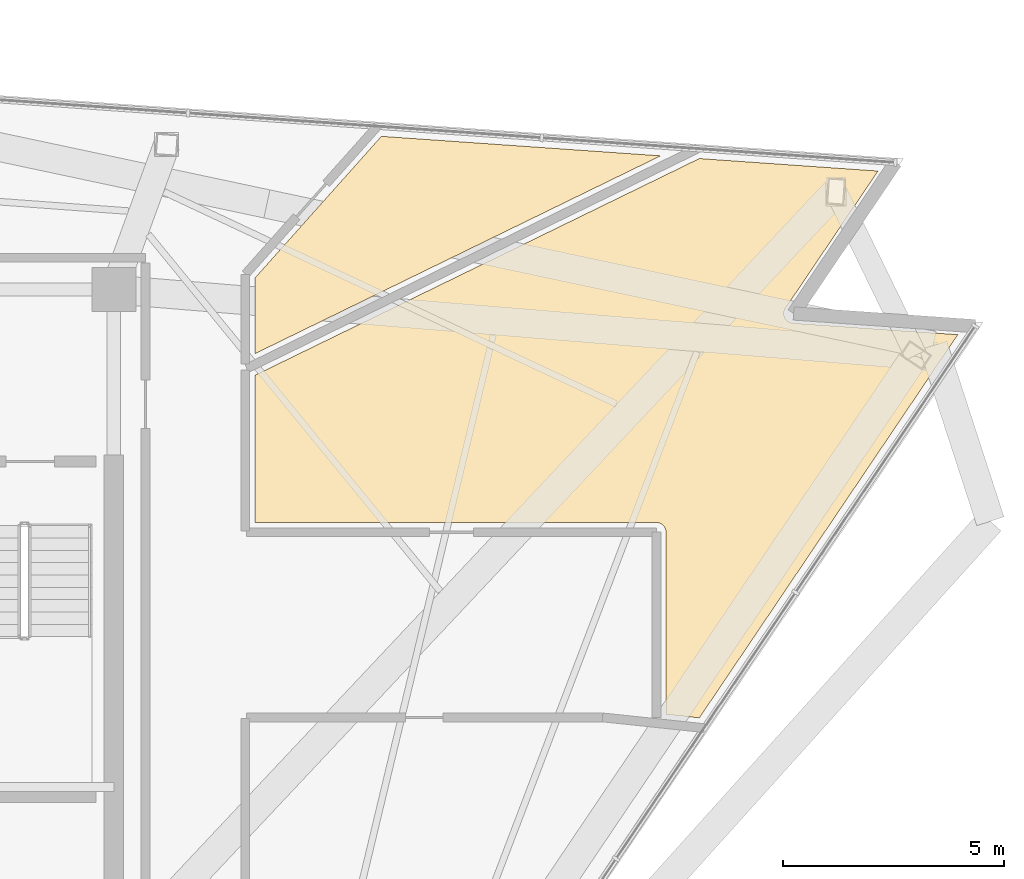
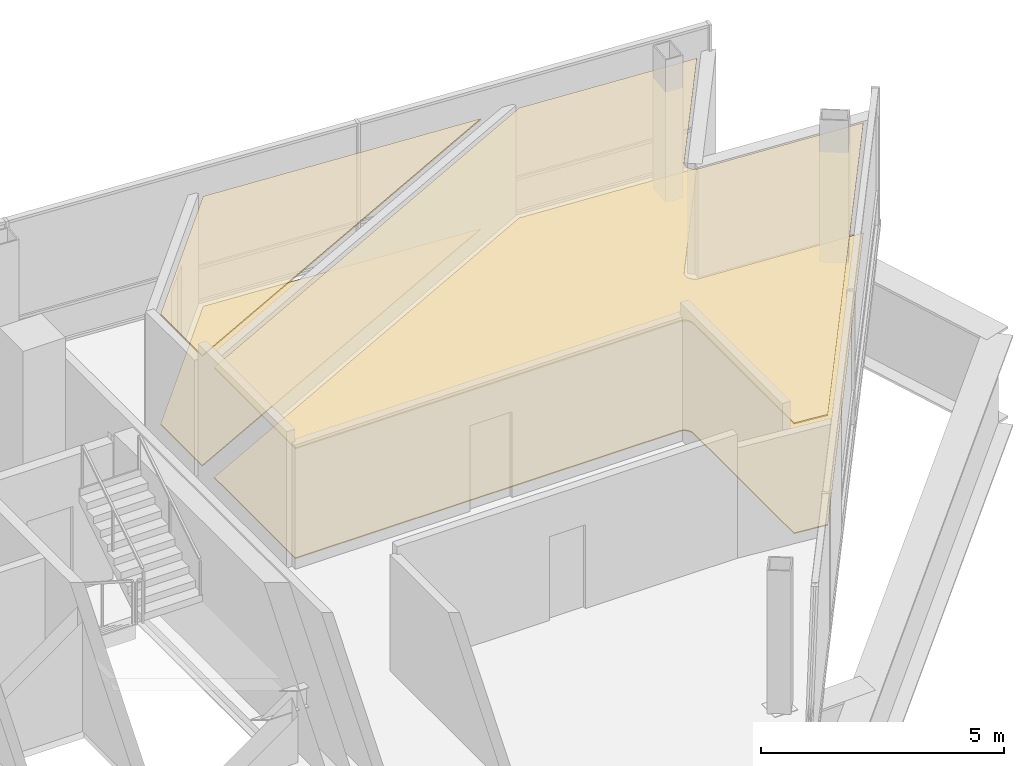
# One storey, part 14 of 14: 4 coverings.
"""IFC4 building model written with IfcOpenShell, lengths in metres."""

from ifc_helpers import new_model, si_unit, direction, frame, origin, place, context, subcontext, project, spatial, polyline, outline, extrude, material, layer, layer_set, type_object, element, save


model = new_model("IFC4")

# Units and contexts
model_context = context("Model", 3, precision=1e-05, world=origin(), true_north=direction((0.0, 1.0)))
body_context = subcontext(model_context, "Body", "Model", "MODEL_VIEW")
ifc_project = project(units=[si_unit("LENGTHUNIT", "METRE"), si_unit("AREAUNIT", "SQUARE_METRE"), si_unit("VOLUMEUNIT", "CUBIC_METRE"), si_unit("PLANEANGLEUNIT", "RADIAN"), si_unit("MASSUNIT", "GRAM", prefix="KILO")], contexts=[model_context])

# Site, building, storey
site_placement = place(None, origin())
site = spatial("IfcSite", under=ifc_project, at=site_placement, CompositionType="ELEMENT")
building_placement = place(site_placement, origin())
building = spatial("IfcBuilding", under=site, at=building_placement, Name="Tharavind Bronze Gate", CompositionType="ELEMENT")
storey_placement = place(building_placement, frame((0.0, 0.0, 227.050048828125)))
storey = spatial("IfcBuildingStorey", under=building, at=storey_placement, Name="L58", CompositionType="ELEMENT", Elevation=227.050048828125)

# Coverings
ifc_material_1 = material(Name="Engineered Oak & Carpet Tile", Category="wood")
ifc_layer_1 = layer(ifc_material_1, 0.02490234375)
ifc_layer_set_1 = layer_set([ifc_layer_1], Name="Engineered Oak & Carpet Tile")
covering_type_1 = type_object("IfcCoveringType", Name="ENGINEERED TIMBER FLOORING", PredefinedType="FLOORING", material=ifc_layer_set_1)
covering_1_placement = place(storey_placement, origin())
element("IfcCovering", 1, at=covering_1_placement, inside=storey, type_object=covering_type_1, Name="L58-RM-01 floor finish", PredefinedType="FLOORING", context=body_context, shape_type="SweptSolid", body=[
    extrude(outline(polyline([(21.296875, 10.632080078125), (14.966064453125, 11.07470703125), (12.10009765625, 7.86181640625), (12.10009765625, 6.146240234375), (21.296875, 10.632080078125)])), origin(), (0.0, 0.0, 1.0), 0.02490234375),
])
covering_2_placement = place(storey_placement, origin())
element("IfcCovering", 2, at=covering_2_placement, inside=storey, type_object=covering_type_1, Name="L58-RM-11 floor finish", PredefinedType="FLOORING", context=body_context, shape_type="SweptSolid", body=[
    extrude(outline(polyline([(21.199462890625, 2.320068359375), (21.210205078125, 2.319580078125), (21.210693359375, 2.319580078125), (21.232421875, 2.317626953125), (21.25341796875, 2.3134765625), (21.274169921875, 2.30712890625), (21.2939453125, 2.298828125), (21.31298828125, 2.288818359375), (21.3310546875, 2.276611328125), (21.34765625, 2.262939453125), (21.363037109375, 2.247802734375), (21.376708984375, 2.23095703125), (21.388671875, 2.213134765625), (21.398681640625, 2.194091796875), (21.406982421875, 2.174072265625), (21.413330078125, 2.1533203125), (21.41748046875, 2.13232421875), (21.419677734375, 2.11083984375), (21.419677734375, 2.110107421875), (21.419921875, 2.099365234375), (21.419921875, -2.030029296875), (22.17578125, -2.109619140625), (28.034912109375, 6.5771484375), (24.297607421875, 6.83837890625), (24.286865234375, 6.839599609375), (24.2861328125, 6.839599609375), (24.2646484375, 6.84326171875), (24.243408203125, 6.84912109375), (24.222900390625, 6.85693359375), (24.203369140625, 6.866943359375), (24.184814453125, 6.87890625), (24.167724609375, 6.892333984375), (24.15185546875, 6.90771484375), (24.1376953125, 6.92431640625), (24.125244140625, 6.9423828125), (24.11474609375, 6.961669921875), (24.106201171875, 6.981689453125), (24.099609375, 7.002685546875), (24.09521484375, 7.024169921875), (24.0927734375, 7.0458984375), (24.0927734375, 7.06787109375), (24.0947265625, 7.089599609375), (24.09912109375, 7.111328125), (24.105224609375, 7.132080078125), (24.11376953125, 7.152587890625), (24.124267578125, 7.171875), (24.12451171875, 7.17236328125), (24.13037109375, 7.181396484375), (26.225341796875, 10.287353515625), (22.1748046875, 10.570556640625), (12.10009765625, 5.65673828125), (12.10009765625, 2.320068359375), (21.199462890625, 2.320068359375)])), origin(), (0.0, 0.0, 1.0), 0.02490234375),
])
ifc_material_2 = material(Name="Acoustic Gypsum Board", Category="gypsum")
ifc_layer_2 = layer(ifc_material_2, 0.030029296875)
ifc_layer_set_2 = layer_set([ifc_layer_2], Name="Acoustic Gypsum Board")
covering_type_2 = type_object("IfcCoveringType", Name="GYPSUM SUSPENDED CEILING", PredefinedType="CEILING", material=ifc_layer_set_2)
covering_3_placement = place(storey_placement, frame((0.0, 0.0, 2.75)))
element("IfcCovering", 3, at=covering_3_placement, inside=storey, type_object=covering_type_2, Name="L58-RM-01 suspended ceiling", PredefinedType="CEILING", context=body_context, shape_type="SweptSolid", body=[
    extrude(outline(polyline([(21.296875, 10.632080078125), (14.966064453125, 11.07470703125), (12.10009765625, 7.86181640625), (12.10009765625, 6.146240234375), (21.296875, 10.632080078125)])), origin(), (0.0, 0.0, 1.0), 0.034912109375),
])
covering_4_placement = place(storey_placement, frame((0.0, 0.0, 2.75)))
element("IfcCovering", 4, at=covering_4_placement, inside=storey, type_object=covering_type_2, Name="L58-RM-11 suspended ceiling", PredefinedType="CEILING", context=body_context, shape_type="SweptSolid", body=[
    extrude(outline(polyline([(21.199462890625, 2.320068359375), (21.210205078125, 2.319580078125), (21.210693359375, 2.319580078125), (21.232421875, 2.317626953125), (21.25341796875, 2.3134765625), (21.274169921875, 2.30712890625), (21.2939453125, 2.298828125), (21.31298828125, 2.288818359375), (21.3310546875, 2.276611328125), (21.34765625, 2.262939453125), (21.363037109375, 2.247802734375), (21.376708984375, 2.23095703125), (21.388671875, 2.213134765625), (21.398681640625, 2.194091796875), (21.406982421875, 2.174072265625), (21.413330078125, 2.1533203125), (21.41748046875, 2.13232421875), (21.419677734375, 2.11083984375), (21.419677734375, 2.110107421875), (21.419921875, 2.099365234375), (21.419921875, -2.030029296875), (22.17578125, -2.109619140625), (28.034912109375, 6.5771484375), (24.297607421875, 6.83837890625), (24.286865234375, 6.839599609375), (24.2861328125, 6.839599609375), (24.2646484375, 6.84326171875), (24.243408203125, 6.84912109375), (24.222900390625, 6.85693359375), (24.203369140625, 6.866943359375), (24.184814453125, 6.87890625), (24.167724609375, 6.892333984375), (24.15185546875, 6.90771484375), (24.1376953125, 6.92431640625), (24.125244140625, 6.9423828125), (24.11474609375, 6.961669921875), (24.106201171875, 6.981689453125), (24.099609375, 7.002685546875), (24.09521484375, 7.024169921875), (24.0927734375, 7.0458984375), (24.0927734375, 7.06787109375), (24.0947265625, 7.089599609375), (24.09912109375, 7.111328125), (24.105224609375, 7.132080078125), (24.11376953125, 7.152587890625), (24.124267578125, 7.171875), (24.12451171875, 7.17236328125), (24.13037109375, 7.181396484375), (26.225341796875, 10.287353515625), (22.1748046875, 10.570556640625), (12.10009765625, 5.65673828125), (12.10009765625, 2.320068359375), (21.199462890625, 2.320068359375)])), origin(), (0.0, 0.0, 1.0), 0.034912109375),
])

save(model, "model.ifc")
